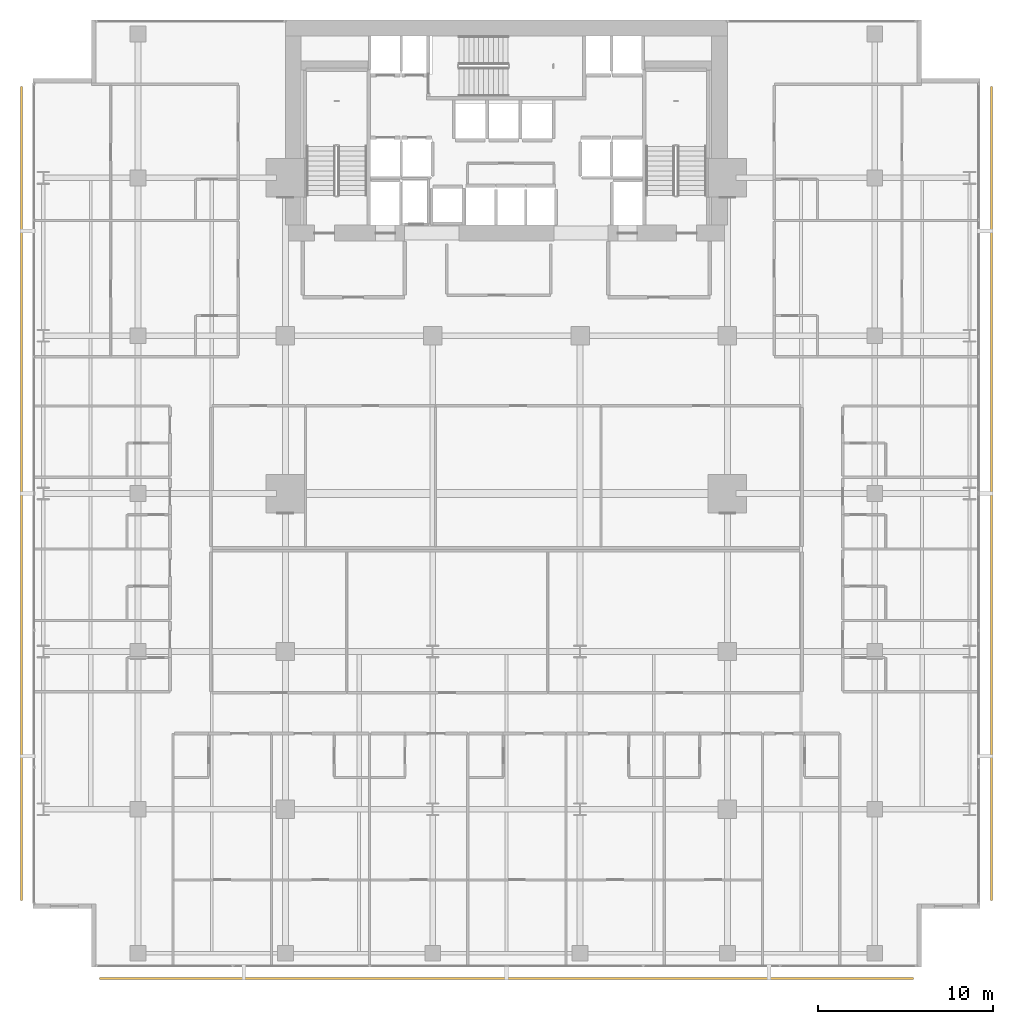
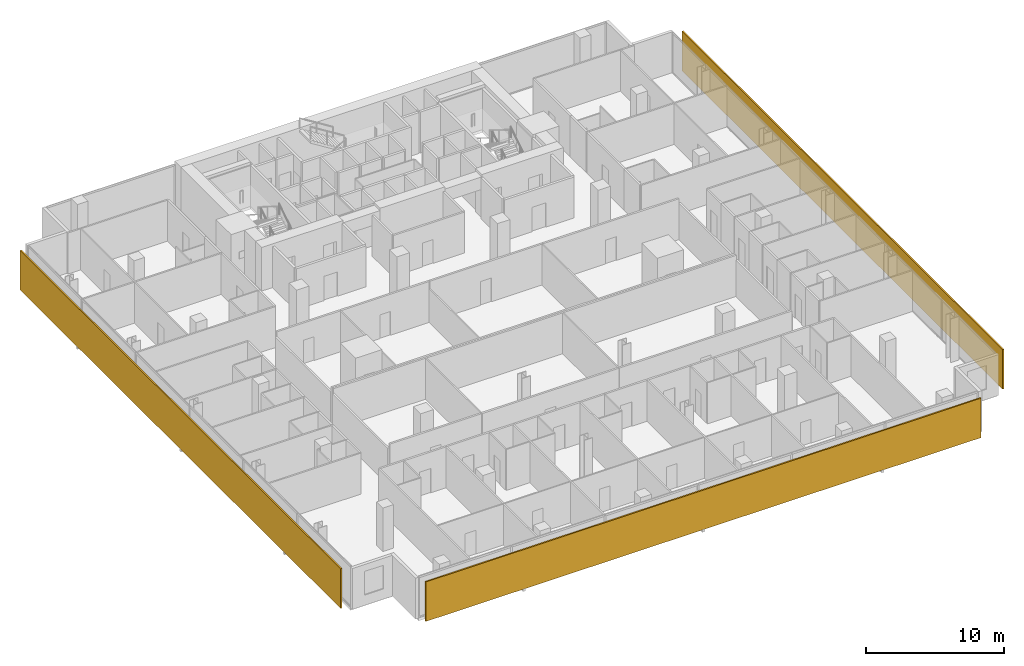
# One storey, part 39 of 40: 3 shading devices.
"""IFC4 building model written with IfcOpenShell, lengths in metres."""

from ifc_helpers import new_model, si_unit, direction, frame, origin, origin_2d, place, context, subcontext, project, spatial, rectangle, extrude, material, layer, layer_set, type_object, element, save


model = new_model("IFC4")

# Units and contexts
model_context = context("Model", 3, precision=1e-05, world=origin(), true_north=direction((0.0, 1.0)))
body_context = subcontext(model_context, "Body", "Model", "MODEL_VIEW")
ifc_project = project(units=[si_unit("LENGTHUNIT", "METRE"), si_unit("AREAUNIT", "SQUARE_METRE"), si_unit("VOLUMEUNIT", "CUBIC_METRE"), si_unit("PLANEANGLEUNIT", "RADIAN"), si_unit("MASSUNIT", "GRAM", prefix="KILO")], contexts=[model_context])

# Site, building, storey
site_placement = place(None, origin())
site = spatial("IfcSite", under=ifc_project, at=site_placement, CompositionType="ELEMENT")
building_placement = place(site_placement, origin())
building = spatial("IfcBuilding", under=site, at=building_placement, Name="Maruvema Waterfront Hotel and Observation Tower", CompositionType="ELEMENT")
storey_placement = place(building_placement, frame((0.0, 0.0, 53.89990234375)))
storey = spatial("IfcBuildingStorey", under=building, at=storey_placement, Name="L12", CompositionType="ELEMENT", Elevation=53.89990234375)

# Shading devices
ifc_material = material(Name="Honed travertine stone and anodised architectural bronze", Category="masonry")
ifc_layer = layer(ifc_material, 0.1201171875, Name="Ventilated Outer Skin Cobogo Stone-and-Bronze Screen 120 mm")
ifc_layer_set = layer_set([ifc_layer], Name="Honed travertine stone and anodised architectural bronze")
shading_device_type = type_object("IfcShadingDeviceType", Name="Ventilated Outer Skin Cobogo Stone-and-Bronze Screen 120 mm", PredefinedType="USERDEFINED", material=ifc_layer_set)
for number, where, z_axis, x_axis, name in (
    (1, (37.800048828125, -0.64990234375, 0.06005859375), (0.0, 0.0, 1.0), (1.0, 0.0, 0.0), "L12 Ventilated Double-Skin Outer Cobogo Screen OS-L12-S"),
    (2, (65.449951171875, 27.0, 0.06005859375), (0.0, 0.0, 1.0), (0.0, 1.0, 0.0), "L12 Ventilated Double-Skin Outer Cobogo Screen OS-L12-E"),
    (3, (10.14990234375, 27.0, 0.06005859375), (0.0, 0.0, 1.0), (0.0, -1.0, 0.0), "L12 Ventilated Double-Skin Outer Cobogo Screen OS-L12-W"),
):
    element("IfcShadingDevice", number, at=place(storey_placement, frame(where, z_axis=z_axis, x_axis=x_axis)), inside=storey, type_object=shading_device_type, Name=name, ObjectType="OUTER SKIN SCREEN", PredefinedType="USERDEFINED", context=body_context, shape_type="SweptSolid", body=[
        extrude(rectangle(XDim=46.39990234375, YDim=0.1201171875, at=origin_2d()), origin(), (0.0, 0.0, 1.0), 3.489990234375),
    ])

save(model, "model.ifc")
